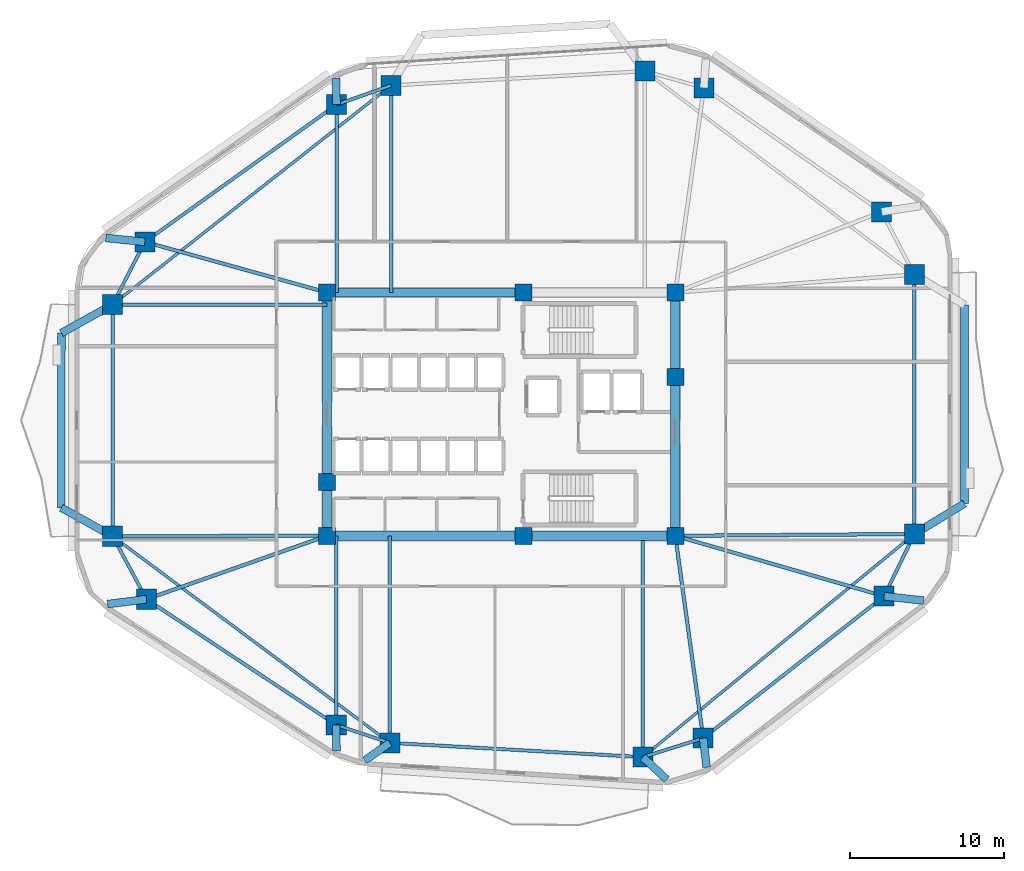
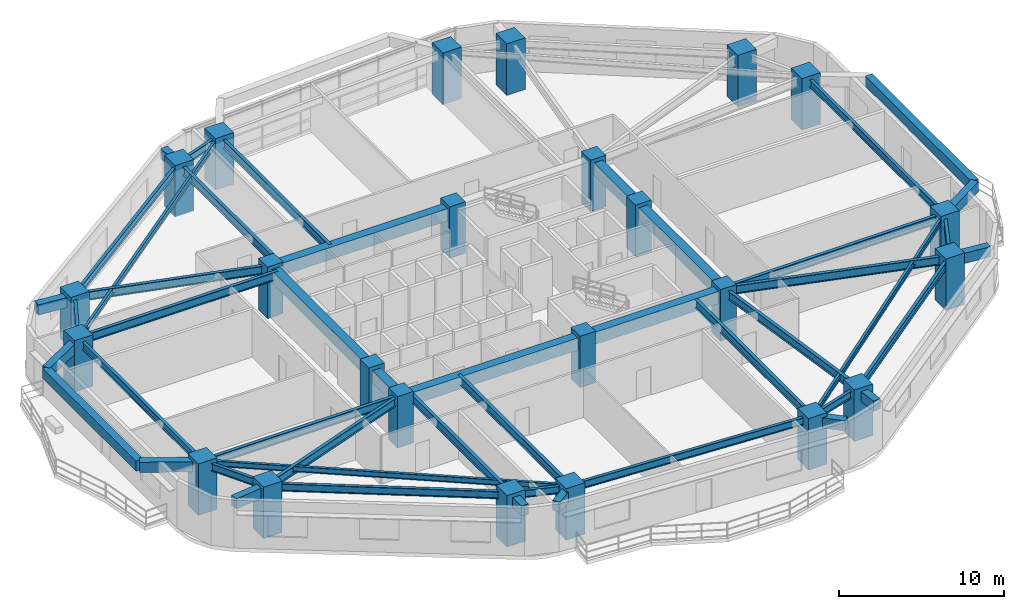
# One storey, part 1 of 14: 47 beams, 24 columns.
"""IFC4 building model written with IfcOpenShell, lengths in metres."""

from ifc_helpers import new_model, si_unit, direction, frame, origin, origin_2d, place, context, subcontext, project, spatial, rectangle, i_section, extrude, material, material_profile, profile_set, type_object, element, save


model = new_model("IFC4")

# Units and contexts
model_context = context("Model", 3, precision=1e-05, world=origin(), true_north=direction((0.0, 1.0)))
body_context = subcontext(model_context, "Body", "Model", "MODEL_VIEW")
ifc_project = project(units=[si_unit("LENGTHUNIT", "METRE"), si_unit("AREAUNIT", "SQUARE_METRE"), si_unit("VOLUMEUNIT", "CUBIC_METRE"), si_unit("PLANEANGLEUNIT", "RADIAN"), si_unit("MASSUNIT", "GRAM", prefix="KILO")], contexts=[model_context])

# Site, building, storey
site_placement = place(None, origin())
site = spatial("IfcSite", under=ifc_project, at=site_placement, CompositionType="ELEMENT")
building_placement = place(site_placement, origin())
building = spatial("IfcBuilding", under=site, at=building_placement, Name="Zulverin Broadcast Headquarters", CompositionType="ELEMENT")
storey_placement = place(building_placement, frame((0.0, 0.0, 55.39990234375)))
storey = spatial("IfcBuildingStorey", under=building, at=storey_placement, Name="L13", CompositionType="ELEMENT", Elevation=55.39990234375)

# Columns
ifc_material_1 = material(Name="Concrete C60/75", Category="concrete")
ifc_material_profile_1 = material_profile(ifc_material_1, rectangle(XDim=1.300048828125, YDim=1.300048828125, at=origin_2d()), Name="Concrete C60/75", Category="concrete")
ifc_profile_set_1 = profile_set([ifc_material_profile_1], Name="Concrete C60/75")
column_type_1 = type_object("IfcColumnType", Name="COL-RC-1300", PredefinedType="COLUMN", material=ifc_profile_set_1)
for number, where, z_axis, x_axis, name in (
    (1, (29.79638671875, 3.922119140625, 0.0), (0.0, 0.0, 1.0), (1.0, 0.0, 0.0), "L13 Perimeter Column T01"),
    (2, (46.175048828125, 2.997802734375, 0.0), (0.0, 0.0, 1.0), (1.0, 0.0, 0.0), "L13 Perimeter Column T02"),
    (3, (50.08056640625, 4.22509765625, 0.0), (0.0, 0.0, 1.0), (1.0, 0.0, 0.0), "L13 Perimeter Column T03"),
    (4, (61.79296875, 13.416259765625, 0.0), (0.0, 0.0, 1.0), (1.0, 0.0, 0.0), "L13 Perimeter Column T04"),
    (5, (63.75, 17.439697265625, 0.0), (0.0, 0.0, 1.0), (1.0, 0.0, 0.0), "L13 Perimeter Column T05"),
    (6, (63.75, 34.235107421875, 0.0), (0.0, 0.0, 1.0), (1.0, 0.0, 0.0), "L13 Perimeter Column T06"),
    (7, (61.630126953125, 38.298583984375, 0.0), (0.0, 0.0, 1.0), (1.0, 0.0, 0.0), "L13 Perimeter Column T07"),
    (8, (50.121826171875, 46.325927734375, 0.0), (0.0, 0.0, 1.0), (1.0, 0.0, 0.0), "L13 Perimeter Column T08"),
    (9, (46.30224609375, 47.4091796875, 0.0), (0.0, 0.0, 1.0), (1.0, 0.0, 0.0), "L13 Perimeter Column T09"),
    (10, (29.873779296875, 46.482177734375, 0.0), (0.0, 0.0, 1.0), (1.0, 0.0, 0.0), "L13 Perimeter Column T10"),
    (11, (26.344482421875, 45.23828125, 0.0), (0.0, 0.0, 1.0), (1.0, 0.0, 0.0), "L13 Perimeter Column T11"),
    (12, (13.934326171875, 36.353759765625, 0.0), (0.0, 0.0, 1.0), (1.0, 0.0, 0.0), "L13 Perimeter Column T12"),
    (13, (11.85009765625, 32.298095703125, 0.0), (0.0, 0.0, 1.0), (1.0, 0.0, 0.0), "L13 Perimeter Column T13"),
    (14, (11.85009765625, 17.297607421875, 0.0), (0.0, 0.0, 1.0), (1.0, 0.0, 0.0), "L13 Perimeter Column T14"),
    (15, (14.0390625, 13.219970703125, 0.0), (0.0, 0.0, 1.0), (1.0, 0.0, 0.0), "L13 Perimeter Column T15"),
    (16, (26.3251953125, 5.075927734375, 0.0), (0.0, 0.0, 1.0), (1.0, 0.0, 0.0), "L13 Perimeter Column T16"),
):
    element("IfcColumn", number, at=place(storey_placement, frame(where, z_axis=z_axis, x_axis=x_axis)), inside=storey, type_object=column_type_1, Name=name, PredefinedType="COLUMN", context=body_context, shape_type="SweptSolid", body=[
        extrude(rectangle(XDim=1.300048828125, YDim=1.300048828125, at=origin_2d()), origin(), (0.0, 0.0, 1.0), 3.800048828125),
    ])
ifc_material_profile_2 = material_profile(ifc_material_1, rectangle(XDim=1.10009765625, YDim=1.10009765625, at=origin_2d()), Name="Concrete C60/75", Category="concrete")
ifc_profile_set_2 = profile_set([ifc_material_profile_2], Name="Concrete C60/75")
column_type_2 = type_object("IfcColumnType", Name="PIL-RC-1100", PredefinedType="PILASTER", material=ifc_profile_set_2)
for number, where, z_axis, x_axis, name in (
    (17, (25.72509765625, 17.324951171875, 0.0), (0.0, 0.0, 1.0), (1.0, 0.0, 0.0), "L13 Core Pilaster K01"),
    (18, (38.449951171875, 17.324951171875, 0.0), (0.0, 0.0, 1.0), (1.0, 0.0, 0.0), "L13 Core Pilaster K02"),
    (19, (48.27490234375, 17.324951171875, 0.0), (0.0, 0.0, 1.0), (1.0, 0.0, 0.0), "L13 Core Pilaster K03"),
    (20, (48.27490234375, 27.6201171875, 0.0), (0.0, 0.0, 1.0), (1.0, 0.0, 0.0), "L13 Core Pilaster K04"),
    (21, (48.27490234375, 33.074951171875, 0.0), (0.0, 0.0, 1.0), (1.0, 0.0, 0.0), "L13 Core Pilaster K05"),
    (22, (38.449951171875, 33.074951171875, 0.0), (0.0, 0.0, 1.0), (1.0, 0.0, 0.0), "L13 Core Pilaster K06"),
    (23, (25.72509765625, 33.074951171875, 0.0), (0.0, 0.0, 1.0), (1.0, 0.0, 0.0), "L13 Core Pilaster K07"),
    (24, (25.72509765625, 20.800048828125, 0.0), (0.0, 0.0, 1.0), (1.0, 0.0, 0.0), "L13 Core Pilaster K08"),
):
    element("IfcColumn", number, at=place(storey_placement, frame(where, z_axis=z_axis, x_axis=x_axis)), inside=storey, type_object=column_type_2, Name=name, PredefinedType="PILASTER", context=body_context, shape_type="SweptSolid", body=[
        extrude(rectangle(XDim=1.10009765625, YDim=1.10009765625, at=origin_2d()), origin(), (0.0, 0.0, 1.0), 3.800048828125),
    ])

# Beams
ifc_material_profile_3 = material_profile(ifc_material_1, rectangle(XDim=0.60009765625, YDim=0.89990234375, at=origin_2d()), Name="Concrete C60/75", Category="concrete")
ifc_profile_set_3 = profile_set([ifc_material_profile_3], Name="Concrete C60/75")
beam_type_1 = type_object("IfcBeamType", Name="BM-CB-600x900", PredefinedType="LINTEL", material=ifc_profile_set_3)
beam_1_placement = place(storey_placement, frame((25.72509765625, 17.324951171875, 3.0751953125), z_axis=(1.0, 0.0, 0.0), x_axis=(0.0, 1.0, 0.0)))
element("IfcBeam", 25, at=beam_1_placement, inside=storey, type_object=beam_type_1, Name="L13 Core Coupling Girder K01-K02", PredefinedType="LINTEL", context=body_context, shape_type="SweptSolid", body=[
    extrude(rectangle(XDim=0.60009765625, YDim=0.89990234375, at=origin_2d()), origin(), (0.0, 0.0, 1.0), 12.724853515625),
])
beam_2_placement = place(storey_placement, frame((38.449951171875, 17.324951171875, 3.0751953125), z_axis=(1.0, 0.0, 0.0), x_axis=(0.0, 1.0, 0.0)))
element("IfcBeam", 26, at=beam_2_placement, inside=storey, type_object=beam_type_1, Name="L13 Core Coupling Girder K02-K03", PredefinedType="LINTEL", context=body_context, shape_type="SweptSolid", body=[
    extrude(rectangle(XDim=0.60009765625, YDim=0.89990234375, at=origin_2d()), origin(), (0.0, 0.0, 1.0), 9.824951171875),
])
beam_3_placement = place(storey_placement, frame((48.27490234375, 17.324951171875, 3.0751953125), z_axis=(0.0, 1.0, 0.0), x_axis=(-1.0, 0.0, 0.0)))
element("IfcBeam", 27, at=beam_3_placement, inside=storey, type_object=beam_type_1, Name="L13 Core Coupling Girder K03-K04", PredefinedType="LINTEL", context=body_context, shape_type="SweptSolid", body=[
    extrude(rectangle(XDim=0.60009765625, YDim=0.89990234375, at=origin_2d()), origin(), (0.0, 0.0, 1.0), 10.295166015625),
])
beam_4_placement = place(storey_placement, frame((48.27490234375, 27.6201171875, 3.0751953125), z_axis=(0.0, 1.0, 0.0), x_axis=(-1.0, 0.0, 0.0)))
element("IfcBeam", 28, at=beam_4_placement, inside=storey, type_object=beam_type_1, Name="L13 Core Coupling Girder K04-K05", PredefinedType="LINTEL", context=body_context, shape_type="SweptSolid", body=[
    extrude(rectangle(XDim=0.60009765625, YDim=0.89990234375, at=origin_2d()), origin(), (0.0, 0.0, 1.0), 5.454833984375),
])
beam_5_placement = place(storey_placement, frame((38.449951171875, 33.074951171875, 3.0751953125), z_axis=(-1.0, 0.0, 0.0), x_axis=(0.0, -1.0, 0.0)))
element("IfcBeam", 29, at=beam_5_placement, inside=storey, type_object=beam_type_1, Name="L13 Core Coupling Girder K06-K07", PredefinedType="LINTEL", context=body_context, shape_type="SweptSolid", body=[
    extrude(rectangle(XDim=0.60009765625, YDim=0.89990234375, at=origin_2d()), origin(), (0.0, 0.0, 1.0), 12.724853515625),
])
beam_6_placement = place(storey_placement, frame((25.72509765625, 33.074951171875, 3.0751953125), z_axis=(0.0, -1.0, 0.0), x_axis=(1.0, 0.0, 0.0)))
element("IfcBeam", 30, at=beam_6_placement, inside=storey, type_object=beam_type_1, Name="L13 Core Coupling Girder K07-K08", PredefinedType="LINTEL", context=body_context, shape_type="SweptSolid", body=[
    extrude(rectangle(XDim=0.60009765625, YDim=0.89990234375, at=origin_2d()), origin(), (0.0, 0.0, 1.0), 12.27490234375),
])
beam_7_placement = place(storey_placement, frame((25.72509765625, 20.800048828125, 3.0751953125), z_axis=(0.0, -1.0, 0.0), x_axis=(1.0, 0.0, 0.0)))
element("IfcBeam", 31, at=beam_7_placement, inside=storey, type_object=beam_type_1, Name="L13 Core Coupling Girder K08-K01", PredefinedType="LINTEL", context=body_context, shape_type="SweptSolid", body=[
    extrude(rectangle(XDim=0.60009765625, YDim=0.89990234375, at=origin_2d()), origin(), (0.0, 0.0, 1.0), 3.47509765625),
])
ifc_material_2 = material(Name="Concrete C40/50", Category="concrete")
ifc_material_profile_4 = material_profile(ifc_material_2, rectangle(XDim=0.5, YDim=0.75, at=origin_2d()), Name="Concrete C40/50", Category="concrete")
ifc_profile_set_4 = profile_set([ifc_material_profile_4], Name="Concrete C40/50")
beam_type_2 = type_object("IfcBeamType", Name="BM-RC-500x750", PredefinedType="BEAM", material=ifc_profile_set_4)
beam_8_placement = place(storey_placement, frame((29.79638671875, 3.922119140625, 3.150146484375), z_axis=(-0.817789251944, -0.575517801119, 0.0), x_axis=(0.575517801119, -0.817789251944, 0.0)))
element("IfcBeam", 32, at=beam_8_placement, inside=storey, type_object=beam_type_2, Name="L14 Plate Overhang Back-Spanned Beam OVR-01", PredefinedType="BEAM", context=body_context, shape_type="SweptSolid", body=[
    extrude(rectangle(XDim=0.5, YDim=0.75, at=origin_2d()), origin(), (0.0, 0.0, 1.0), 1.983154296875),
])
beam_9_placement = place(storey_placement, frame((46.175048828125, 2.997802734375, 3.150146484375), z_axis=(0.727711332613, -0.685883529754, 0.0), x_axis=(0.685883529754, 0.727711332613, 0.0)))
element("IfcBeam", 33, at=beam_9_placement, inside=storey, type_object=beam_type_2, Name="L14 Plate Overhang Back-Spanned Beam OVR-02", PredefinedType="BEAM", context=body_context, shape_type="SweptSolid", body=[
    extrude(rectangle(XDim=0.5, YDim=0.75, at=origin_2d()), origin(), (0.0, 0.0, 1.0), 2.113037109375),
])
beam_10_placement = place(storey_placement, frame((50.08056640625, 4.22509765625, 3.150146484375), z_axis=(0.115916621896, -0.99325894749, 0.0), x_axis=(0.99325894749, 0.115916621896, 0.0)))
element("IfcBeam", 34, at=beam_10_placement, inside=storey, type_object=beam_type_2, Name="L14 Plate Overhang Back-Spanned Beam OVR-03", PredefinedType="BEAM", context=body_context, shape_type="SweptSolid", body=[
    extrude(rectangle(XDim=0.5, YDim=0.75, at=origin_2d()), origin(), (0.0, 0.0, 1.0), 1.899658203125),
])
beam_11_placement = place(storey_placement, frame((61.79296875, 13.416259765625, 3.150146484375), z_axis=(0.993797661948, -0.111203449166, 0.0), x_axis=(0.111203449166, 0.993797661948, 0.0)))
element("IfcBeam", 35, at=beam_11_placement, inside=storey, type_object=beam_type_2, Name="L14 Plate Overhang Back-Spanned Beam OVR-04", PredefinedType="BEAM", context=body_context, shape_type="SweptSolid", body=[
    extrude(rectangle(XDim=0.5, YDim=0.75, at=origin_2d()), origin(), (0.0, 0.0, 1.0), 2.568603515625),
])
beam_12_placement = place(storey_placement, frame((26.344482421875, 45.23828125, 3.150146484375), z_axis=(-0.025024345209, 0.999686842039, 0.0), x_axis=(-0.999686842039, -0.025024345209, 0.0)))
element("IfcBeam", 36, at=beam_12_placement, inside=storey, type_object=beam_type_2, Name="L14 Plate Overhang Back-Spanned Beam OVR-11", PredefinedType="BEAM", context=body_context, shape_type="SweptSolid", body=[
    extrude(rectangle(XDim=0.5, YDim=0.75, at=origin_2d()), origin(), (0.0, 0.0, 1.0), 1.707275390625),
])
beam_13_placement = place(storey_placement, frame((13.934326171875, 36.353759765625, 3.150146484375), z_axis=(-0.995008621602, 0.09978899207, 0.0), x_axis=(-0.09978899207, -0.995008621602, 0.0)))
element("IfcBeam", 37, at=beam_13_placement, inside=storey, type_object=beam_type_2, Name="L14 Plate Overhang Back-Spanned Beam OVR-12", PredefinedType="BEAM", context=body_context, shape_type="SweptSolid", body=[
    extrude(rectangle(XDim=0.5, YDim=0.75, at=origin_2d()), origin(), (0.0, 0.0, 1.0), 2.5419921875),
])
beam_14_placement = place(storey_placement, frame((14.0390625, 13.219970703125, 3.150146484375), z_axis=(-0.992258640565, -0.124188526941, 0.0), x_axis=(0.124188526941, -0.992258640565, 0.0)))
element("IfcBeam", 38, at=beam_14_placement, inside=storey, type_object=beam_type_2, Name="L14 Plate Overhang Back-Spanned Beam OVR-15", PredefinedType="BEAM", context=body_context, shape_type="SweptSolid", body=[
    extrude(rectangle(XDim=0.5, YDim=0.75, at=origin_2d()), origin(), (0.0, 0.0, 1.0), 2.5400390625),
])
beam_15_placement = place(storey_placement, frame((26.3251953125, 5.075927734375, 3.150146484375), z_axis=(0.006204786761, -0.999980750125, 0.0), x_axis=(0.999980750125, 0.006204786761, 0.0)))
element("IfcBeam", 39, at=beam_15_placement, inside=storey, type_object=beam_type_2, Name="L14 Plate Overhang Back-Spanned Beam OVR-16", PredefinedType="BEAM", context=body_context, shape_type="SweptSolid", body=[
    extrude(rectangle(XDim=0.5, YDim=0.75, at=origin_2d()), origin(), (0.0, 0.0, 1.0), 1.69189453125),
])
beam_16_placement = place(storey_placement, frame((63.75, 17.439697265625, 3.150146484375), z_axis=(0.853769010652, 0.520651972483, 0.0), x_axis=(-0.520651972483, 0.853769010652, 0.0)))
element("IfcBeam", 40, at=beam_16_placement, inside=storey, type_object=beam_type_2, Name="L14 Balcony Column-Framed Cantilever BAL_E-1", PredefinedType="BEAM", context=body_context, shape_type="SweptSolid", body=[
    extrude(rectangle(XDim=0.5, YDim=0.75, at=origin_2d()), origin(), (0.0, 0.0, 1.0), 3.800048828125),
])
beam_17_placement = place(storey_placement, frame((66.994384765625, 19.418212890625, 3.150146484375), z_axis=(0.000531985561, 0.999999858496, 0.0), x_axis=(-0.999999858496, 0.000531985561, 0.0)))
element("IfcBeam", 41, at=beam_17_placement, inside=storey, type_object=beam_type_2, Name="L14 Balcony Outer Edge Trimmer Beam BAL_E", PredefinedType="BEAM", context=body_context, shape_type="SweptSolid", body=[
    extrude(rectangle(XDim=0.5, YDim=0.75, at=origin_2d()), origin(), (0.0, 0.0, 1.0), 12.849853515625),
])
beam_18_placement = place(storey_placement, frame((11.85009765625, 32.298095703125, 3.150146484375), z_axis=(-0.873763019306, -0.486351915893, 0.0), x_axis=(0.486351915893, -0.873763019306, 0.0)))
element("IfcBeam", 42, at=beam_18_placement, inside=storey, type_object=beam_type_2, Name="L14 Balcony Column-Framed Cantilever BAL_W-1", PredefinedType="BEAM", context=body_context, shape_type="SweptSolid", body=[
    extrude(rectangle(XDim=0.5, YDim=0.75, at=origin_2d()), origin(), (0.0, 0.0, 1.0), 3.800048828125),
])
beam_19_placement = place(storey_placement, frame((11.85009765625, 17.297607421875, 3.150146484375), z_axis=(-0.874363278793, 0.485271940975, 0.0), x_axis=(-0.485271940975, -0.874363278793, 0.0)))
element("IfcBeam", 43, at=beam_19_placement, inside=storey, type_object=beam_type_2, Name="L14 Balcony Column-Framed Cantilever BAL_W-2", PredefinedType="BEAM", context=body_context, shape_type="SweptSolid", body=[
    extrude(rectangle(XDim=0.5, YDim=0.75, at=origin_2d()), origin(), (0.0, 0.0, 1.0), 3.7998046875),
])
beam_20_placement = place(storey_placement, frame((8.52978515625, 30.449951171875, 3.150146484375), z_axis=(-0.000194304709, -0.999999981123, 0.0), x_axis=(0.999999981123, -0.000194304709, 0.0)))
element("IfcBeam", 44, at=beam_20_placement, inside=storey, type_object=beam_type_2, Name="L14 Balcony Outer Edge Trimmer Beam BAL_W", PredefinedType="BEAM", context=body_context, shape_type="SweptSolid", body=[
    extrude(rectangle(XDim=0.5, YDim=0.75, at=origin_2d()), origin(), (0.0, 0.0, 1.0), 11.308349609375),
])
ifc_material_3 = material(Name="Structural steel S355JR", Category="steel")
ifc_material_profile_5 = material_profile(ifc_material_3, i_section(OverallWidth=0.179443359375, OverallDepth=0.412841796875, WebThickness=0.009521484375, FlangeThickness=0.01611328125, at=origin_2d()), Name="Structural steel S355JR", Category="steel")
ifc_profile_set_5 = profile_set([ifc_material_profile_5], Name="Structural steel S355JR")
beam_type_3 = type_object("IfcBeamType", Name="BM-UB-406", PredefinedType="JOIST", material=ifc_profile_set_5)
beam_21_placement = place(storey_placement, frame((46.175048828125, 2.997802734375, 3.318603515625), z_axis=(0.772611370623, 0.634879256224, 0.0), x_axis=(-0.634879256224, 0.772611370623, 0.0)))
element("IfcBeam", 45, at=beam_21_placement, inside=storey, type_object=beam_type_3, Name="L13 Chordal Floor Joist J-01", PredefinedType="JOIST", context=body_context, shape_type="SweptSolid", body=[
    extrude(i_section(OverallWidth=0.179443359375, OverallDepth=0.412841796875, WebThickness=0.009521484375, FlangeThickness=0.01611328125, at=origin_2d()), origin(), (0.0, 0.0, 1.0), 22.74755859375),
])
beam_22_placement = place(storey_placement, frame((29.873779296875, 46.482177734375, 3.318603515625), z_axis=(-0.78583902739, -0.618431098047, 0.0), x_axis=(0.618431098047, -0.78583902739, 0.0)))
element("IfcBeam", 46, at=beam_22_placement, inside=storey, type_object=beam_type_3, Name="L13 Chordal Floor Joist J-03", PredefinedType="JOIST", context=body_context, shape_type="SweptSolid", body=[
    extrude(i_section(OverallWidth=0.179443359375, OverallDepth=0.412841796875, WebThickness=0.009521484375, FlangeThickness=0.01611328125, at=origin_2d()), origin(), (0.0, 0.0, 1.0), 22.935546875),
])
beam_23_placement = place(storey_placement, frame((11.85009765625, 17.297607421875, 3.318603515625), z_axis=(0.801802688634, -0.59758886243, 0.0), x_axis=(0.59758886243, 0.801802688634, 0.0)))
element("IfcBeam", 47, at=beam_23_placement, inside=storey, type_object=beam_type_3, Name="L13 Chordal Floor Joist J-04", PredefinedType="JOIST", context=body_context, shape_type="SweptSolid", body=[
    extrude(i_section(OverallWidth=0.179443359375, OverallDepth=0.412841796875, WebThickness=0.009521484375, FlangeThickness=0.01611328125, at=origin_2d()), origin(), (0.0, 0.0, 1.0), 22.38232421875),
])
ifc_material_profile_6 = material_profile(ifc_material_3, i_section(OverallWidth=0.2119140625, OverallDepth=0.54443359375, WebThickness=0.0126953125, FlangeThickness=0.021240234375, at=origin_2d()), Name="Structural steel S355JR", Category="steel")
ifc_profile_set_6 = profile_set([ifc_material_profile_6], Name="Structural steel S355JR")
beam_type_4 = type_object("IfcBeamType", Name="BM-UB-533", PredefinedType="SPANDREL", material=ifc_profile_set_6)
beam_24_placement = place(storey_placement, frame((29.79638671875, 3.922119140625, 3.252685546875), z_axis=(0.998411385104, -0.056344530297, 0.0), x_axis=(0.056344530297, 0.998411385104, 0.0)))
element("IfcBeam", 48, at=beam_24_placement, inside=storey, type_object=beam_type_4, Name="L13 Perimeter Spandrel Beam SP-01", PredefinedType="SPANDREL", context=body_context, shape_type="SweptSolid", body=[
    extrude(i_section(OverallWidth=0.2119140625, OverallDepth=0.54443359375, WebThickness=0.0126953125, FlangeThickness=0.021240234375, at=origin_2d()), origin(), (0.0, 0.0, 1.0), 16.40478515625),
])
beam_25_placement = place(storey_placement, frame((46.175048828125, 2.997802734375, 3.252685546875), z_axis=(0.954004438448, 0.299792480595, 0.0), x_axis=(-0.299792480595, 0.954004438448, 0.0)))
element("IfcBeam", 49, at=beam_25_placement, inside=storey, type_object=beam_type_4, Name="L13 Perimeter Spandrel Beam SP-02", PredefinedType="SPANDREL", context=body_context, shape_type="SweptSolid", body=[
    extrude(i_section(OverallWidth=0.2119140625, OverallDepth=0.54443359375, WebThickness=0.0126953125, FlangeThickness=0.021240234375, at=origin_2d()), origin(), (0.0, 0.0, 1.0), 4.09375),
])
beam_26_placement = place(storey_placement, frame((50.08056640625, 4.22509765625, 3.252685546875), z_axis=(0.786691476208, 0.617346354376, 0.0), x_axis=(-0.617346354376, 0.786691476208, 0.0)))
element("IfcBeam", 50, at=beam_26_placement, inside=storey, type_object=beam_type_4, Name="L13 Perimeter Spandrel Beam SP-03", PredefinedType="SPANDREL", context=body_context, shape_type="SweptSolid", body=[
    extrude(i_section(OverallWidth=0.2119140625, OverallDepth=0.54443359375, WebThickness=0.0126953125, FlangeThickness=0.021240234375, at=origin_2d()), origin(), (0.0, 0.0, 1.0), 14.88818359375),
])
beam_27_placement = place(storey_placement, frame((61.79296875, 13.416259765625, 3.252685546875), z_axis=(0.437408475872, 0.899262934428, 0.0), x_axis=(-0.899262934428, 0.437408475872, 0.0)))
element("IfcBeam", 51, at=beam_27_placement, inside=storey, type_object=beam_type_4, Name="L13 Perimeter Spandrel Beam SP-04", PredefinedType="SPANDREL", context=body_context, shape_type="SweptSolid", body=[
    extrude(i_section(OverallWidth=0.2119140625, OverallDepth=0.54443359375, WebThickness=0.0126953125, FlangeThickness=0.021240234375, at=origin_2d()), origin(), (0.0, 0.0, 1.0), 4.47412109375),
])
beam_28_placement = place(storey_placement, frame((63.75, 17.439697265625, 3.252685546875), z_axis=(0.0, 1.0, 0.0), x_axis=(-1.0, 0.0, 0.0)))
element("IfcBeam", 52, at=beam_28_placement, inside=storey, type_object=beam_type_4, Name="L13 Perimeter Spandrel Beam SP-05", PredefinedType="SPANDREL", context=body_context, shape_type="SweptSolid", body=[
    extrude(i_section(OverallWidth=0.2119140625, OverallDepth=0.54443359375, WebThickness=0.0126953125, FlangeThickness=0.021240234375, at=origin_2d()), origin(), (0.0, 0.0, 1.0), 16.79541015625),
])
beam_29_placement = place(storey_placement, frame((29.873779296875, 46.482177734375, 3.252685546875), z_axis=(-0.943135983398, -0.332407155189, 0.0), x_axis=(0.332407155189, -0.943135983398, 0.0)))
element("IfcBeam", 53, at=beam_29_placement, inside=storey, type_object=beam_type_4, Name="L13 Perimeter Spandrel Beam SP-10", PredefinedType="SPANDREL", context=body_context, shape_type="SweptSolid", body=[
    extrude(i_section(OverallWidth=0.2119140625, OverallDepth=0.54443359375, WebThickness=0.0126953125, FlangeThickness=0.021240234375, at=origin_2d()), origin(), (0.0, 0.0, 1.0), 3.7421875),
])
beam_30_placement = place(storey_placement, frame((26.344482421875, 45.23828125, 3.252685546875), z_axis=(-0.813109374453, -0.582110938891, 0.0), x_axis=(0.582110938891, -0.813109374453, 0.0)))
element("IfcBeam", 54, at=beam_30_placement, inside=storey, type_object=beam_type_4, Name="L13 Perimeter Spandrel Beam SP-11", PredefinedType="SPANDREL", context=body_context, shape_type="SweptSolid", body=[
    extrude(i_section(OverallWidth=0.2119140625, OverallDepth=0.54443359375, WebThickness=0.0126953125, FlangeThickness=0.021240234375, at=origin_2d()), origin(), (0.0, 0.0, 1.0), 15.2626953125),
])
beam_31_placement = place(storey_placement, frame((13.934326171875, 36.353759765625, 3.252685546875), z_axis=(-0.457080631948, -0.889425261558, 0.0), x_axis=(0.889425261558, -0.457080631948, 0.0)))
element("IfcBeam", 55, at=beam_31_placement, inside=storey, type_object=beam_type_4, Name="L13 Perimeter Spandrel Beam SP-12", PredefinedType="SPANDREL", context=body_context, shape_type="SweptSolid", body=[
    extrude(i_section(OverallWidth=0.2119140625, OverallDepth=0.54443359375, WebThickness=0.0126953125, FlangeThickness=0.021240234375, at=origin_2d()), origin(), (0.0, 0.0, 1.0), 4.559814453125),
])
beam_32_placement = place(storey_placement, frame((11.85009765625, 32.298095703125, 3.252685546875), z_axis=(0.0, -1.0, 0.0), x_axis=(1.0, 0.0, 0.0)))
element("IfcBeam", 56, at=beam_32_placement, inside=storey, type_object=beam_type_4, Name="L13 Perimeter Spandrel Beam SP-13", PredefinedType="SPANDREL", context=body_context, shape_type="SweptSolid", body=[
    extrude(i_section(OverallWidth=0.2119140625, OverallDepth=0.54443359375, WebThickness=0.0126953125, FlangeThickness=0.021240234375, at=origin_2d()), origin(), (0.0, 0.0, 1.0), 15.00048828125),
])
beam_33_placement = place(storey_placement, frame((11.85009765625, 17.297607421875, 3.252685546875), z_axis=(0.472979536362, -0.881073412482, 0.0), x_axis=(0.881073412482, 0.472979536362, 0.0)))
element("IfcBeam", 57, at=beam_33_placement, inside=storey, type_object=beam_type_4, Name="L13 Perimeter Spandrel Beam SP-14", PredefinedType="SPANDREL", context=body_context, shape_type="SweptSolid", body=[
    extrude(i_section(OverallWidth=0.2119140625, OverallDepth=0.54443359375, WebThickness=0.0126953125, FlangeThickness=0.021240234375, at=origin_2d()), origin(), (0.0, 0.0, 1.0), 4.6279296875),
])
beam_34_placement = place(storey_placement, frame((14.0390625, 13.219970703125, 3.252685546875), z_axis=(0.833510030956, -0.552504324232, 0.0), x_axis=(0.552504324232, 0.833510030956, 0.0)))
element("IfcBeam", 58, at=beam_34_placement, inside=storey, type_object=beam_type_4, Name="L13 Perimeter Spandrel Beam SP-15", PredefinedType="SPANDREL", context=body_context, shape_type="SweptSolid", body=[
    extrude(i_section(OverallWidth=0.2119140625, OverallDepth=0.54443359375, WebThickness=0.0126953125, FlangeThickness=0.021240234375, at=origin_2d()), origin(), (0.0, 0.0, 1.0), 14.740234375),
])
beam_35_placement = place(storey_placement, frame((26.3251953125, 5.075927734375, 3.252685546875), z_axis=(0.948949931395, -0.315426739047, 0.0), x_axis=(0.315426739047, 0.948949931395, 0.0)))
element("IfcBeam", 59, at=beam_35_placement, inside=storey, type_object=beam_type_4, Name="L13 Perimeter Spandrel Beam SP-16", PredefinedType="SPANDREL", context=body_context, shape_type="SweptSolid", body=[
    extrude(i_section(OverallWidth=0.2119140625, OverallDepth=0.54443359375, WebThickness=0.0126953125, FlangeThickness=0.021240234375, at=origin_2d()), origin(), (0.0, 0.0, 1.0), 3.657958984375),
])
ifc_material_profile_7 = material_profile(ifc_material_3, i_section(OverallWidth=0.230224609375, OverallDepth=0.6171875, WebThickness=0.01318359375, FlangeThickness=0.022216796875, at=origin_2d()), Name="Structural steel S355JR", Category="steel")
ifc_profile_set_7 = profile_set([ifc_material_profile_7], Name="Structural steel S355JR")
beam_type_5 = type_object("IfcBeamType", Name="BM-UB-610", PredefinedType="BEAM", material=ifc_profile_set_7)
beam_36_placement = place(storey_placement, frame((29.79638671875, 17.324951171875, 3.216552734375), z_axis=(0.0, -1.0, 0.0), x_axis=(1.0, 0.0, 0.0)))
element("IfcBeam", 60, at=beam_36_placement, inside=storey, type_object=beam_type_5, Name="L13 Radial Primary Floor Beam RB-01", PredefinedType="BEAM", context=body_context, shape_type="SweptSolid", body=[
    extrude(i_section(OverallWidth=0.230224609375, OverallDepth=0.6171875, WebThickness=0.01318359375, FlangeThickness=0.022216796875, at=origin_2d()), origin(), (0.0, 0.0, 1.0), 13.40283203125),
])
beam_37_placement = place(storey_placement, frame((46.175048828125, 17.324951171875, 3.216552734375), z_axis=(0.0, -1.0, 0.0), x_axis=(1.0, 0.0, 0.0)))
element("IfcBeam", 61, at=beam_37_placement, inside=storey, type_object=beam_type_5, Name="L13 Radial Primary Floor Beam RB-02", PredefinedType="BEAM", context=body_context, shape_type="SweptSolid", body=[
    extrude(i_section(OverallWidth=0.230224609375, OverallDepth=0.6171875, WebThickness=0.01318359375, FlangeThickness=0.022216796875, at=origin_2d()), origin(), (0.0, 0.0, 1.0), 14.3271484375),
])
beam_38_placement = place(storey_placement, frame((48.27490234375, 17.324951171875, 3.216552734375), z_axis=(0.136547433081, -0.990633533916, 0.0), x_axis=(0.990633533916, 0.136547433081, 0.0)))
element("IfcBeam", 62, at=beam_38_placement, inside=storey, type_object=beam_type_5, Name="L13 Radial Primary Floor Beam RB-03", PredefinedType="BEAM", context=body_context, shape_type="SweptSolid", body=[
    extrude(i_section(OverallWidth=0.230224609375, OverallDepth=0.6171875, WebThickness=0.01318359375, FlangeThickness=0.022216796875, at=origin_2d()), origin(), (0.0, 0.0, 1.0), 13.2236328125),
])
beam_39_placement = place(storey_placement, frame((48.27490234375, 17.324951171875, 3.216552734375), z_axis=(0.960648363311, -0.277767388416, 0.0), x_axis=(0.277767388416, 0.960648363311, 0.0)))
element("IfcBeam", 63, at=beam_39_placement, inside=storey, type_object=beam_type_5, Name="L13 Radial Primary Floor Beam RB-04", PredefinedType="BEAM", context=body_context, shape_type="SweptSolid", body=[
    extrude(i_section(OverallWidth=0.230224609375, OverallDepth=0.6171875, WebThickness=0.01318359375, FlangeThickness=0.022216796875, at=origin_2d()), origin(), (0.0, 0.0, 1.0), 14.07177734375),
])
beam_40_placement = place(storey_placement, frame((48.27490234375, 17.324951171875, 3.216552734375), z_axis=(0.999972510862, 0.007414682739, 0.0), x_axis=(-0.007414682739, 0.999972510862, 0.0)))
element("IfcBeam", 64, at=beam_40_placement, inside=storey, type_object=beam_type_5, Name="L13 Radial Primary Floor Beam RB-05", PredefinedType="BEAM", context=body_context, shape_type="SweptSolid", body=[
    extrude(i_section(OverallWidth=0.230224609375, OverallDepth=0.6171875, WebThickness=0.01318359375, FlangeThickness=0.022216796875, at=origin_2d()), origin(), (0.0, 0.0, 1.0), 15.4755859375),
])
beam_41_placement = place(storey_placement, frame((29.873779296875, 33.074951171875, 3.216552734375), z_axis=(0.0, 1.0, 0.0), x_axis=(-1.0, 0.0, 0.0)))
element("IfcBeam", 65, at=beam_41_placement, inside=storey, type_object=beam_type_5, Name="L13 Radial Primary Floor Beam RB-10", PredefinedType="BEAM", context=body_context, shape_type="SweptSolid", body=[
    extrude(i_section(OverallWidth=0.230224609375, OverallDepth=0.6171875, WebThickness=0.01318359375, FlangeThickness=0.022216796875, at=origin_2d()), origin(), (0.0, 0.0, 1.0), 13.4072265625),
])
beam_42_placement = place(storey_placement, frame((26.344482421875, 33.074951171875, 3.216552734375), z_axis=(0.0, 1.0, 0.0), x_axis=(-1.0, 0.0, 0.0)))
element("IfcBeam", 66, at=beam_42_placement, inside=storey, type_object=beam_type_5, Name="L13 Radial Primary Floor Beam RB-11", PredefinedType="BEAM", context=body_context, shape_type="SweptSolid", body=[
    extrude(i_section(OverallWidth=0.230224609375, OverallDepth=0.6171875, WebThickness=0.01318359375, FlangeThickness=0.022216796875, at=origin_2d()), origin(), (0.0, 0.0, 1.0), 12.163330078125),
])
beam_43_placement = place(storey_placement, frame((25.72509765625, 33.074951171875, 3.216552734375), z_axis=(-0.963442133037, 0.267916509922, 0.0), x_axis=(-0.267916509922, -0.963442133037, 0.0)))
element("IfcBeam", 67, at=beam_43_placement, inside=storey, type_object=beam_type_5, Name="L13 Radial Primary Floor Beam RB-12", PredefinedType="BEAM", context=body_context, shape_type="SweptSolid", body=[
    extrude(i_section(OverallWidth=0.230224609375, OverallDepth=0.6171875, WebThickness=0.01318359375, FlangeThickness=0.022216796875, at=origin_2d()), origin(), (0.0, 0.0, 1.0), 12.23828125),
])
for number, where, z_axis, x_axis, name in (
    (68, (25.72509765625, 32.298095703125, 3.216552734375), (-1.0, 0.0, 0.0), (0.0, -1.0, 0.0), "L13 Radial Primary Floor Beam RB-13"),
    (69, (25.72509765625, 17.324951171875, 3.216552734375), (-0.999998058136, -0.001970716894, 0.0), (0.001970716894, -0.999998058136, 0.0), "L13 Radial Primary Floor Beam RB-14"),
):
    element("IfcBeam", number, at=place(storey_placement, frame(where, z_axis=z_axis, x_axis=x_axis)), inside=storey, type_object=beam_type_5, Name=name, PredefinedType="BEAM", context=body_context, shape_type="SweptSolid", body=[
        extrude(i_section(OverallWidth=0.230224609375, OverallDepth=0.6171875, WebThickness=0.01318359375, FlangeThickness=0.022216796875, at=origin_2d()), origin(), (0.0, 0.0, 1.0), 13.875),
    ])
beam_44_placement = place(storey_placement, frame((25.72509765625, 17.324951171875, 3.216552734375), z_axis=(-0.943483462345, -0.331419607569, 0.0), x_axis=(0.331419607569, -0.943483462345, 0.0)))
element("IfcBeam", 70, at=beam_44_placement, inside=storey, type_object=beam_type_5, Name="L13 Radial Primary Floor Beam RB-15", PredefinedType="BEAM", context=body_context, shape_type="SweptSolid", body=[
    extrude(i_section(OverallWidth=0.230224609375, OverallDepth=0.6171875, WebThickness=0.01318359375, FlangeThickness=0.022216796875, at=origin_2d()), origin(), (0.0, 0.0, 1.0), 12.385986328125),
])
beam_45_placement = place(storey_placement, frame((26.3251953125, 17.324951171875, 3.216552734375), z_axis=(0.0, -1.0, 0.0), x_axis=(1.0, 0.0, 0.0)))
element("IfcBeam", 71, at=beam_45_placement, inside=storey, type_object=beam_type_5, Name="L13 Radial Primary Floor Beam RB-16", PredefinedType="BEAM", context=body_context, shape_type="SweptSolid", body=[
    extrude(i_section(OverallWidth=0.230224609375, OverallDepth=0.6171875, WebThickness=0.01318359375, FlangeThickness=0.022216796875, at=origin_2d()), origin(), (0.0, 0.0, 1.0), 12.2490234375),
])

save(model, "model.ifc")
